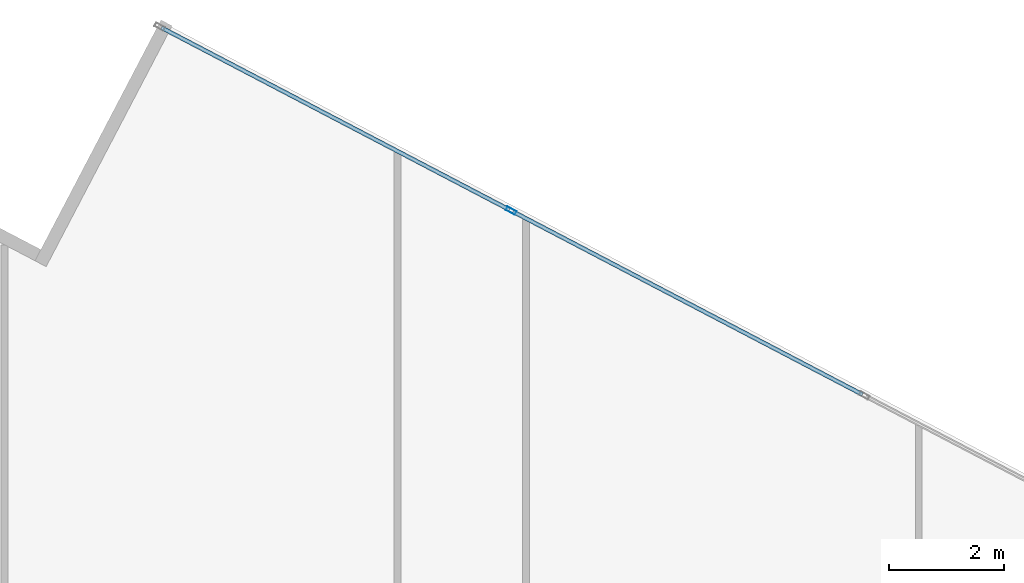
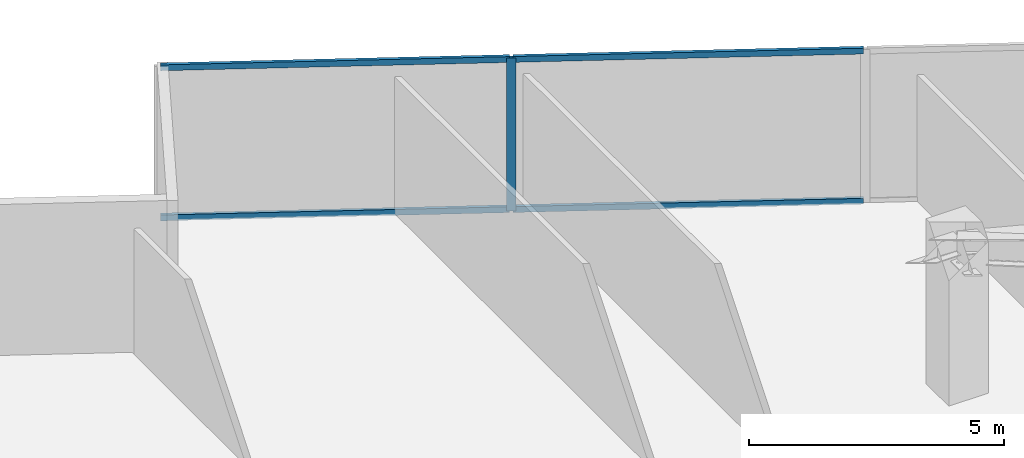
# One storey, part 17 of 27: 5 members, 1 element without a shape of its own.
"""IFC4 building model written with IfcOpenShell, lengths in metres."""

import ifcopenshell
import ifcopenshell.guid

model = None  # the IFC model being written
_history = None  # IfcOwnerHistory: only IFC2X3 demands one
_inside = {}  # id of a spatial element -> (the spatial element, [elements in it])
_under = {}  # id of a project, library or spatial element -> (it, [spatial elements below it])
_declared = {}  # id of a project -> (the project, [libraries it declares])
_typed = {}  # id of a type object -> (the type object, [elements of that type])
_made_of = {}  # id of a material, layer set ... -> (it, [elements and type objects made of it])


def new_model(schema):
    """Start an empty IFC model of exactly this schema.

    Asked for "IFC4X3", IfcOpenShell would pick the latest addendum, in which some entities
    have other attributes; the version numbers below select the first issue.
    IFC2X3 requires an IfcOwnerHistory on every rooted entity: one is made here for all.
    """
    global model, _history
    if schema == "IFC4X3":
        model = ifcopenshell.file(schema_version=(4, 3, 0, 0))
    else:
        model = ifcopenshell.file(schema=schema)
    _inside.clear()
    _under.clear()
    _declared.clear()
    _typed.clear()
    _made_of.clear()
    _history = None
    if model.schema == "IFC2X3":
        org = make("IfcOrganization", Name="unknown")
        user = make(
            "IfcPersonAndOrganization",
            ThePerson=make("IfcPerson", FamilyName="unknown"),
            TheOrganization=org,
        )
        app = make(
            "IfcApplication",
            ApplicationDeveloper=org,
            Version="unknown",
            ApplicationFullName="unknown",
            ApplicationIdentifier="unknown",
        )
        _history = make(
            "IfcOwnerHistory",
            OwningUser=user,
            OwningApplication=app,
            ChangeAction="ADDED",
            CreationDate=0,
        )
    return model


def make(cls, **values):
    """One entity of the class cls with the attributes given. An attribute that is None is left unset."""
    return model.create_entity(
        cls, **{name: value for name, value in values.items() if value is not None}
    )


def rooted(cls, **values):
    """An entity with a GlobalId (a new one), such as an element, a storey or a relation."""
    return make(cls, GlobalId=ifcopenshell.guid.new(), OwnerHistory=_history, **values)


def si_unit(unit_type, name, prefix=None):
    """IfcSIUnit, for example si_unit("LENGTHUNIT", "METRE", prefix="MILLI")."""
    return make("IfcSIUnit", UnitType=unit_type, Prefix=prefix, Name=name)


def assignment(units):
    """IfcUnitAssignment: the units of a project."""
    return None if units is None else make("IfcUnitAssignment", Units=units)


def point(xyz):
    """IfcCartesianPoint."""
    return None if xyz is None else make("IfcCartesianPoint", Coordinates=xyz)


def direction(xyz):
    """IfcDirection."""
    return None if xyz is None else make("IfcDirection", DirectionRatios=xyz)


def frame(location, z_axis=None, x_axis=None):
    """IfcAxis2Placement3D, a coordinate frame: its origin and axes. An axis left out is left unset."""
    return make(
        "IfcAxis2Placement3D",
        Location=point(location),
        Axis=direction(z_axis),
        RefDirection=direction(x_axis),
    )


def frame_2d(location, x_axis=None):
    """IfcAxis2Placement2D, a coordinate frame in the plane: its origin and x axis."""
    return make(
        "IfcAxis2Placement2D", Location=point(location), RefDirection=direction(x_axis)
    )


def origin():
    """The frame at (0, 0, 0) with its axes left unset."""
    return frame((0.0, 0.0, 0.0))


def origin_2d():
    """The frame at (0, 0) in the plane with its x axis left unset."""
    return frame_2d((0.0, 0.0))


def place(relative_to, where):
    """IfcLocalPlacement: puts the frame where relative to a parent placement (None: the world)."""
    return make(
        "IfcLocalPlacement", PlacementRelTo=relative_to, RelativePlacement=where
    )


def context(
    kind, dimensions, precision=None, world=None, true_north=None, identifier=None
):
    """IfcGeometricRepresentationContext, for example the 3D "Model" context."""
    return make(
        "IfcGeometricRepresentationContext",
        ContextIdentifier=identifier,
        ContextType=kind,
        CoordinateSpaceDimension=dimensions,
        Precision=precision,
        WorldCoordinateSystem=world,
        TrueNorth=true_north,
    )


def subcontext(parent, identifier, kind, view, scale=None):
    """IfcGeometricRepresentationSubContext, for example "Body" below "Model"."""
    return make(
        "IfcGeometricRepresentationSubContext",
        ContextIdentifier=identifier,
        ContextType=kind,
        ParentContext=parent,
        TargetScale=scale,
        TargetView=view,
    )


def project(units=None, contexts=None):
    """IfcProject with its units and contexts."""
    return rooted(
        "IfcProject",
        Name="project",
        RepresentationContexts=contexts,
        UnitsInContext=assignment(units),
    )


def spatial(cls, under=None, at=None, **own):
    """A site, building, storey or space (cls), placed at a placement, below another one or the project."""
    s = rooted(cls, ObjectPlacement=at, **own)
    if under is not None:
        _under.setdefault(under.id(), (under, []))[1].append(s)
    return s


def profile(cls, at=None, kind="AREA", **sizes):
    """A parametric profile (cls). Its sizes go by their IFC names, for example OverallWidth=200.0."""
    return make(cls, ProfileType=kind, Position=at, **sizes)


def hollow_rectangle(**sizes):
    """IfcRectangleHollowProfileDef."""
    return profile("IfcRectangleHollowProfileDef", **sizes)


def extrude(swept, where, along, depth):
    """IfcExtrudedAreaSolid: the profile swept, set in the frame where, extruded along a direction by depth."""
    return make(
        "IfcExtrudedAreaSolid",
        SweptArea=swept,
        Position=where,
        ExtrudedDirection=direction(along),
        Depth=depth,
    )


def shape(context_of_items, identifier, shape_type, items):
    """IfcShapeRepresentation: the items that make up one representation, for example the "Body"."""
    return make(
        "IfcShapeRepresentation",
        ContextOfItems=context_of_items,
        RepresentationIdentifier=identifier,
        RepresentationType=shape_type,
        Items=items,
    )


def source(mapping_origin, context_of_items, identifier, shape_type, items):
    """IfcRepresentationMap: a shape defined once, which mapped items show again and again."""
    return make(
        "IfcRepresentationMap",
        MappingOrigin=mapping_origin,
        MappedRepresentation=shape(context_of_items, identifier, shape_type, items),
    )


def transform(
    local_origin,
    x_axis=None,
    y_axis=None,
    z_axis=None,
    scale=None,
    scale2=None,
    scale3=None,
    uniform=True,
):
    """IfcCartesianTransformationOperator3D, or its non-uniform kind. x_axis, y_axis, z_axis: its Axis1, 2, 3."""
    if uniform:
        return make(
            "IfcCartesianTransformationOperator3D",
            Axis1=direction(x_axis),
            Axis2=direction(y_axis),
            LocalOrigin=point(local_origin),
            Scale=scale,
            Axis3=direction(z_axis),
        )
    return make(
        "IfcCartesianTransformationOperator3DnonUniform",
        Axis1=direction(x_axis),
        Axis2=direction(y_axis),
        LocalOrigin=point(local_origin),
        Scale=scale,
        Axis3=direction(z_axis),
        Scale2=scale2,
        Scale3=scale3,
    )


def mapped(mapping_source, mapping_target):
    """IfcMappedItem: shows the shape of a source again, moved by a transform."""
    return make(
        "IfcMappedItem", MappingSource=mapping_source, MappingTarget=mapping_target
    )


def material(Name=None, Category=None):
    """IfcMaterial."""
    return make("IfcMaterial", Name=Name, Category=Category)


def material_profile(
    of_material, cross_section, Name=None, Category=None, Priority=None
):
    """IfcMaterialProfile: a cross section and its material."""
    return make(
        "IfcMaterialProfile",
        Name=Name,
        Material=of_material,
        Profile=cross_section,
        Priority=Priority,
        Category=Category,
    )


def profile_set(profiles, Name=None, composite=None):
    """IfcMaterialProfileSet."""
    return make(
        "IfcMaterialProfileSet",
        Name=Name,
        MaterialProfiles=profiles,
        CompositeProfile=composite,
    )


def made_of(thing, what):
    """Note that an element or type object is made of a material, layer set ...; save() writes the relation."""
    if what is not None:
        _made_of.setdefault(what.id(), (what, []))[1].append(thing)
    return thing


def type_object(cls, material=None, **own):
    """A type object (cls), such as IfcWallType, which elements share."""
    return made_of(rooted(cls, **own), material)


def type_shapes(of_type, sources):
    """Give a type object the sources (RepresentationMaps) that its elements show as mapped items."""
    of_type.RepresentationMaps = sources


def element(
    cls,
    number,
    at=None,
    inside=None,
    cuts=None,
    type_object=None,
    material=None,
    context=None,
    identifier="Body",
    shape_type=None,
    held_by="IfcProductDefinitionShape",
    body=None,
    shapes=None,
    **own,
):
    """One element of the class cls, such as IfcWall. Its Tag is "e" and its number.

    at: its placement. inside: the storey or other place that contains it. cuts: it is an
    opening in that element (IfcRelVoidsElement). A single representation is given by context,
    identifier, shape_type and body (its items); several are given by shapes. held_by: the class
    of the entity that holds the representations. save() writes the other relations.
    """
    e = rooted(cls, Tag="e%d" % number, ObjectPlacement=at, **own)
    if body is not None:
        shapes = [shape(context, identifier, shape_type, body)]
    if shapes is not None:
        e.Representation = make(held_by, Representations=shapes)
    if inside is not None:
        _inside.setdefault(inside.id(), (inside, []))[1].append(e)
    if cuts is not None:
        rooted(
            "IfcRelVoidsElement", RelatingBuildingElement=cuts, RelatedOpeningElement=e
        )
    if type_object is not None:
        _typed.setdefault(type_object.id(), (type_object, []))[1].append(e)
    return made_of(e, material)


def aggregate(whole, parts):
    """IfcRelAggregates: a whole, such as a stair, and the parts it consists of."""
    return rooted("IfcRelAggregates", RelatingObject=whole, RelatedObjects=parts)


def save(model, path):
    """Write the relations noted so far, then the file.

    IfcRelAggregates (storeys below a building ...), IfcRelContainedInSpatialStructure (elements
    in a storey), IfcRelDefinesByType, IfcRelAssociatesMaterial and IfcRelDeclares: one each for
    every whole, place, type object, material and project.
    """
    for whole, parts in _under.values():
        aggregate(whole, parts)
    for where, things in _inside.values():
        rooted(
            "IfcRelContainedInSpatialStructure",
            RelatedElements=things,
            RelatingStructure=where,
        )
    for kind, things in _typed.values():
        rooted("IfcRelDefinesByType", RelatedObjects=things, RelatingType=kind)
    for what, things in _made_of.values():
        rooted("IfcRelAssociatesMaterial", RelatedObjects=things, RelatingMaterial=what)
    for by, libraries in _declared.values():
        rooted("IfcRelDeclares", RelatingContext=by, RelatedDefinitions=libraries)
    model.write(path)


model = new_model("IFC4")

# Units and contexts
model_context = context("Model", 3, precision=1e-05, world=origin(), true_north=direction((0.0, 1.0)))
body_context = subcontext(model_context, "Body", "Model", "MODEL_VIEW")
ifc_project = project(units=[si_unit("LENGTHUNIT", "METRE"), si_unit("AREAUNIT", "SQUARE_METRE"), si_unit("VOLUMEUNIT", "CUBIC_METRE"), si_unit("PLANEANGLEUNIT", "RADIAN"), si_unit("MASSUNIT", "GRAM", prefix="KILO")], contexts=[model_context])

# Site, building, storey
site_placement = place(None, origin())
site = spatial("IfcSite", under=ifc_project, at=site_placement, CompositionType="ELEMENT")
building_placement = place(site_placement, origin())
building = spatial("IfcBuilding", under=site, at=building_placement, Name="Krantzveldt Concourse Tower", CompositionType="ELEMENT")
storey_placement = place(building_placement, frame((0.0, 0.0, 150.14990234375)))
storey = spatial("IfcBuildingStorey", under=building, at=storey_placement, Name="L36", CompositionType="ELEMENT", Elevation=150.14990234375)

# Curtain wall, members
ifc_material = material(Name="Anodised aluminium 6063-T6", Category="aluminium")
curtain_wall_type = type_object("IfcCurtainWallType", Name="CW3", PredefinedType="USERDEFINED", material=ifc_material)
curtain_wall_placement = place(storey_placement, origin())
curtain_wall = element("IfcCurtainWall", 1, at=curtain_wall_placement, inside=storey, type_object=curtain_wall_type, Name="CW-L36-F10", ObjectType="UNITISED CURTAIN WALL", PredefinedType="USERDEFINED")
ifc_material_profile_1 = material_profile(ifc_material, hollow_rectangle(XDim=0.070068359375, YDim=0.179931640625, WallThickness=0.0048828125, at=origin_2d()), Name="Anodised aluminium 6063-T6", Category="aluminium")
ifc_profile_set_1 = profile_set([ifc_material_profile_1], Name="Anodised aluminium 6063-T6 - ALU-MULL 180x70x5")
member_type_1 = type_object("IfcMemberType", Name="CW-MUL-180", PredefinedType="MULLION", material=ifc_profile_set_1)
shared_shape_1 = source(origin(), body_context, "Body", "SweptSolid", [
    extrude(hollow_rectangle(XDim=0.070068359375, YDim=0.179931640625, WallThickness=0.0048828125, at=origin_2d()), origin(), (0.0, 0.0, 1.0), 3.670166015625),
])
type_shapes(member_type_1, [shared_shape_1])
member_1_placement = place(storey_placement, frame((36.863037109375, 50.864501953125, 0.0), z_axis=(0.0, 0.0, 1.0), x_axis=(-0.463682819502, -0.886001265743, 0.0)))
member_1 = element("IfcMember", 2, at=member_1_placement, type_object=member_type_1, Name="CW-Z34 mullion 5", PredefinedType="MULLION", context=body_context, shape_type="MappedRepresentation", body=[
    mapped(shared_shape_1, transform((0.0, 0.0, 0.0), x_axis=(1.0, 0.0, 0.0), y_axis=(0.0, 1.0, 0.0), z_axis=(0.0, 0.0, 1.0), scale=1.0)),
])
ifc_material_profile_2 = material_profile(ifc_material, hollow_rectangle(XDim=0.070068359375, YDim=0.139892578125, WallThickness=0.0048828125, at=origin_2d()), Name="Anodised aluminium 6063-T6", Category="aluminium")
ifc_profile_set_2 = profile_set([ifc_material_profile_2], Name="Anodised aluminium 6063-T6 - ALU-TRAN 140x70x5")
member_type_2 = type_object("IfcMemberType", Name="CW-TRN-150", PredefinedType="USERDEFINED", material=ifc_profile_set_2)
shared_shape_2 = source(origin(), body_context, "Body", "SweptSolid", [
    extrude(hollow_rectangle(XDim=0.070068359375, YDim=0.139892578125, WallThickness=0.0048828125, at=origin_2d()), origin(), (0.0, 0.0, 1.0), 6.85498046875),
])
member_2_placement = place(storey_placement, frame((36.83203125, 50.880859375, 0.03515625), z_axis=(-0.886004354252, 0.463676917957, 0.0), x_axis=(-0.463676917957, -0.886004354252, 0.0)))
member_2 = element("IfcMember", 3, at=member_2_placement, type_object=member_type_2, Name="CW-Z34 transom 5.1", ObjectType="TRANSOM", PredefinedType="USERDEFINED", context=body_context, shape_type="MappedRepresentation", body=[
    mapped(shared_shape_2, transform((0.0, 0.0, 0.0), x_axis=(1.0, 0.0, 0.0), y_axis=(0.0, 1.0, 0.0), z_axis=(0.0, 0.0, 1.0), scale=1.0)),
])
member_3_placement = place(storey_placement, frame((36.83203125, 50.880859375, 3.635009765625), z_axis=(-0.886004354252, 0.463676917957, 0.0), x_axis=(-0.463676917957, -0.886004354252, 0.0)))
member_3 = element("IfcMember", 4, at=member_3_placement, type_object=member_type_2, Name="CW-Z34 transom 5.2", ObjectType="TRANSOM", PredefinedType="USERDEFINED", context=body_context, shape_type="MappedRepresentation", body=[
    mapped(shared_shape_2, transform((0.0, 0.0, 0.0), x_axis=(1.0, 0.0, 0.0), y_axis=(0.0, 1.0, 0.0), z_axis=(0.0, 0.0, 1.0), scale=1.0)),
])
shared_shape_3 = source(origin(), body_context, "Body", "SweptSolid", [
    extrude(hollow_rectangle(XDim=0.070068359375, YDim=0.139892578125, WallThickness=0.0048828125, at=origin_2d()), origin(), (0.0, 0.0, 1.0), 6.889892578125),
])
type_shapes(member_type_2, [shared_shape_2, shared_shape_3])
member_4_placement = place(storey_placement, frame((42.99853515625, 47.653564453125, 0.03515625), z_axis=(-0.885996544559, 0.46369184059, 0.0), x_axis=(-0.46369184059, -0.885996544559, 0.0)))
member_4 = element("IfcMember", 5, at=member_4_placement, type_object=member_type_2, Name="CW-Z34 transom 4.1", ObjectType="TRANSOM", PredefinedType="USERDEFINED", context=body_context, shape_type="MappedRepresentation", body=[
    mapped(shared_shape_3, transform((0.0, 0.0, 0.0), x_axis=(1.0, 0.0, 0.0), y_axis=(0.0, 1.0, 0.0), z_axis=(0.0, 0.0, 1.0), scale=1.0)),
])
member_5_placement = place(storey_placement, frame((42.99853515625, 47.653564453125, 3.635009765625), z_axis=(-0.885996544559, 0.46369184059, 0.0), x_axis=(-0.46369184059, -0.885996544559, 0.0)))
member_5 = element("IfcMember", 6, at=member_5_placement, type_object=member_type_2, Name="CW-Z34 transom 4.2", ObjectType="TRANSOM", PredefinedType="USERDEFINED", context=body_context, shape_type="MappedRepresentation", body=[
    mapped(shared_shape_3, transform((0.0, 0.0, 0.0), x_axis=(1.0, 0.0, 0.0), y_axis=(0.0, 1.0, 0.0), z_axis=(0.0, 0.0, 1.0), scale=1.0)),
])
aggregate(curtain_wall, [member_1, member_4, member_5, member_2, member_3])

save(model, "model.ifc")
